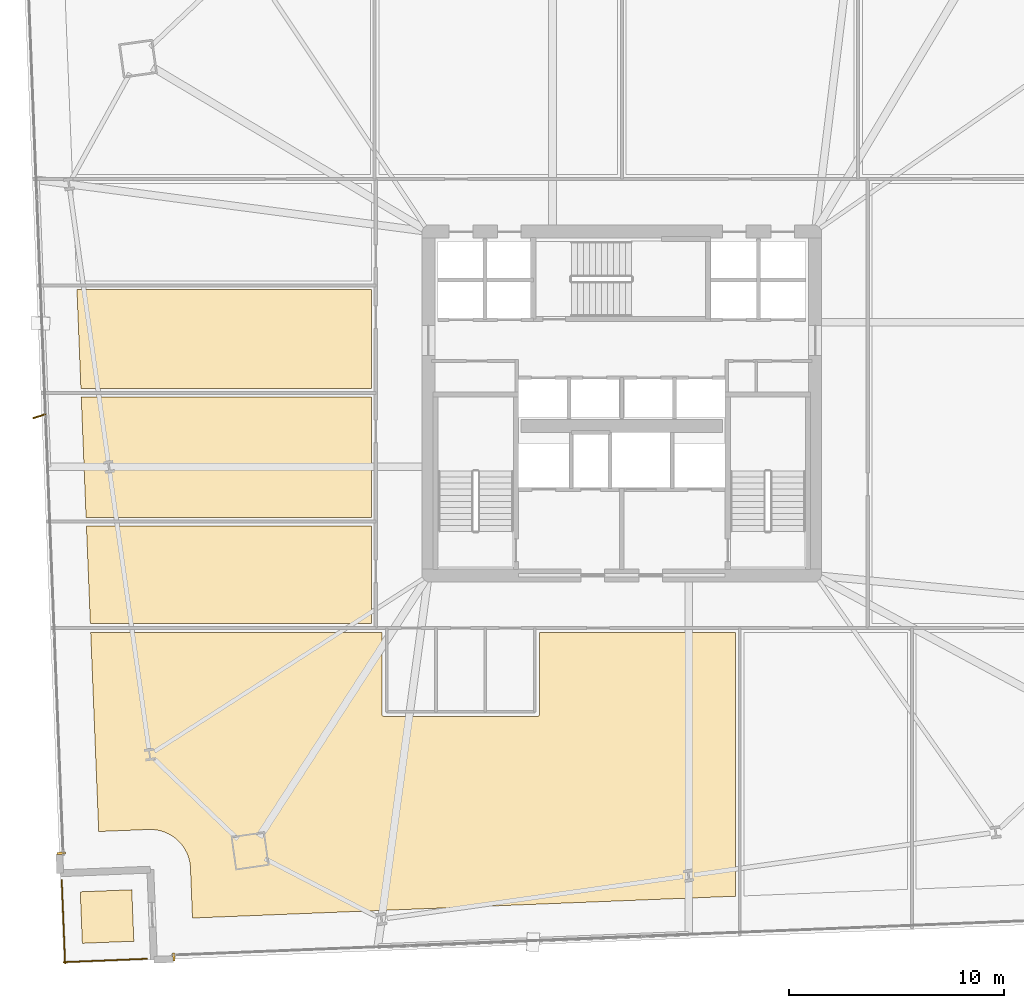
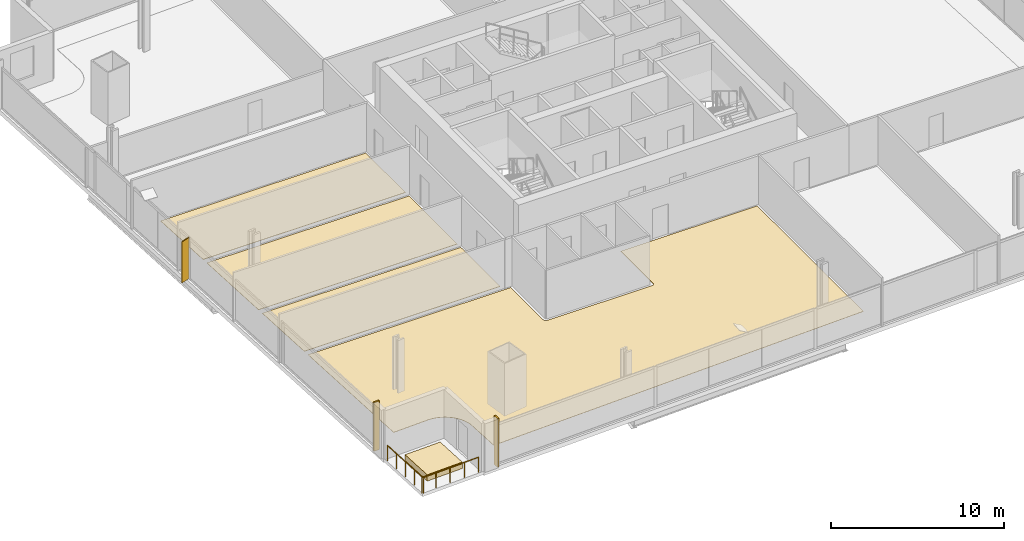
# One storey, part 29 of 32: 7 coverings, 2 railings, 1 shading device.
"""IFC4 building model written with IfcOpenShell, lengths in metres."""

from ifc_helpers import new_model, si_unit, direction, frame, origin, origin_2d, place, context, subcontext, project, spatial, polyline, rectangle, outline, extrude, source, transform, mapped, material, layer, layer_set, type_object, element, save


model = new_model("IFC4")

# Units and contexts
model_context = context("Model", 3, precision=1e-05, world=origin(), true_north=direction((0.0, 1.0)))
body_context = subcontext(model_context, "Body", "Model", "MODEL_VIEW")
ifc_project = project(units=[si_unit("LENGTHUNIT", "METRE"), si_unit("AREAUNIT", "SQUARE_METRE"), si_unit("VOLUMEUNIT", "CUBIC_METRE"), si_unit("PLANEANGLEUNIT", "RADIAN"), si_unit("MASSUNIT", "GRAM", prefix="KILO")], contexts=[model_context])

# Site, building, storey
site_placement = place(None, origin())
site = spatial("IfcSite", under=ifc_project, at=site_placement, CompositionType="ELEMENT")
building_placement = place(site_placement, origin())
building = spatial("IfcBuilding", under=site, at=building_placement, Name="Haldenkirk Collegiate Tower", CompositionType="ELEMENT")
storey_placement = place(building_placement, frame((0.0, 0.0, 36.449951171875)))
storey = spatial("IfcBuildingStorey", under=building, at=storey_placement, Name="L07", CompositionType="ELEMENT", Elevation=36.449951171875)

# Coverings
ifc_material_1 = material(Name="Polished collegiate terrazzo", Category="concrete")
ifc_layer_1 = layer(ifc_material_1, 0.02490234375)
ifc_layer_set_1 = layer_set([ifc_layer_1], Name="Polished collegiate terrazzo")
covering_type_1 = type_object("IfcCoveringType", Name="COV-FLOOR-TERRAZZO", PredefinedType="FLOORING", material=ifc_layer_set_1)
covering_1_placement = place(storey_placement, origin())
element("IfcCovering", 1, at=covering_1_placement, inside=storey, type_object=covering_type_1, Name="L07 academic room finish 08", PredefinedType="FLOORING", context=body_context, shape_type="SweptSolid", body=[
    extrude(outline(polyline([(11.07861328125, 20.300048828125), (24.35009765625, 20.300048828125), (24.35009765625, 15.75), (11.261474609375, 15.75), (11.07861328125, 20.300048828125)])), origin(), (0.0, 0.0, 1.0), 0.025146484375),
])
covering_2_placement = place(storey_placement, origin())
element("IfcCovering", 2, at=covering_2_placement, inside=storey, type_object=covering_type_1, Name="L07 academic room finish 10", PredefinedType="FLOORING", context=body_context, shape_type="SweptSolid", body=[
    extrude(outline(polyline([(10.636962890625, 31.300048828125), (24.35009765625, 31.300048828125), (24.35009765625, 26.699951171875), (10.82177734375, 26.699951171875), (10.636962890625, 31.300048828125)])), origin(), (0.0, 0.0, 1.0), 0.025146484375),
])
ifc_material_2 = material(Name="Engineered collegiate oak acoustic flooring", Category="wood")
ifc_layer_2 = layer(ifc_material_2, 0.02197265625)
ifc_layer_set_2 = layer_set([ifc_layer_2], Name="Engineered collegiate oak acoustic flooring")
covering_type_2 = type_object("IfcCoveringType", Name="COV-FLOOR-TIMBER", PredefinedType="FLOORING", material=ifc_layer_set_2)
covering_3_placement = place(storey_placement, origin())
element("IfcCovering", 3, at=covering_3_placement, inside=storey, type_object=covering_type_2, Name="L07 academic room finish 01", PredefinedType="FLOORING", context=body_context, shape_type="SweptSolid", body=[
    extrude(outline(polyline([(15.7529296875, 5.080810546875), (15.748046875, 5.091552734375), (15.66845703125, 5.24365234375), (15.66259765625, 5.253662109375), (15.568359375, 5.3974609375), (15.561279296875, 5.406982421875), (15.45361328125, 5.540771484375), (15.44580078125, 5.549560546875), (15.325439453125, 5.672119140625), (15.31689453125, 5.679931640625), (15.18505859375, 5.7900390625), (15.17578125, 5.797119140625), (15.03369140625, 5.893798828125), (15.023681640625, 5.89990234375), (14.872802734375, 5.982421875), (14.8623046875, 5.9873046875), (14.704345703125, 6.0546875), (14.693115234375, 6.05859375), (14.529296875, 6.110107421875), (14.517822265625, 6.113037109375), (14.349609375, 6.14794921875), (14.338134765625, 6.14990234375), (14.16748046875, 6.168212890625), (14.155517578125, 6.1689453125), (13.98388671875, 6.17041015625), (13.97802734375, 6.17041015625), (11.64990234375, 6.07666015625), (11.277587890625, 15.35009765625), (24.830078125, 15.35009765625), (24.830078125, 11.550048828125), (24.83056640625, 11.5380859375), (24.832275390625, 11.526611328125), (24.835205078125, 11.51513671875), (24.839111328125, 11.504150390625), (24.84423828125, 11.493408203125), (24.85009765625, 11.4833984375), (24.857177734375, 11.473876953125), (24.864990234375, 11.465087890625), (24.873779296875, 11.457275390625), (24.88330078125, 11.4501953125), (24.893310546875, 11.444091796875), (24.904052734375, 11.439208984375), (24.915283203125, 11.435302734375), (24.926513671875, 11.432373046875), (24.938232421875, 11.4306640625), (24.949951171875, 11.429931640625), (32.050048828125, 11.429931640625), (32.061767578125, 11.4306640625), (32.073486328125, 11.432373046875), (32.084716796875, 11.435302734375), (32.095947265625, 11.439208984375), (32.106689453125, 11.444091796875), (32.11669921875, 11.4501953125), (32.126220703125, 11.457275390625), (32.135009765625, 11.465087890625), (32.142822265625, 11.473876953125), (32.14990234375, 11.4833984375), (32.15576171875, 11.493408203125), (32.160888671875, 11.504150390625), (32.164794921875, 11.51513671875), (32.167724609375, 11.526611328125), (32.16943359375, 11.5380859375), (32.169921875, 11.550048828125), (32.169921875, 15.35009765625), (41.300048828125, 15.35009765625), (41.300048828125, 3.064208984375), (16.01513671875, 2.048583984375), (15.921630859375, 4.376708984375), (15.921142578125, 4.3828125), (15.906005859375, 4.5537109375), (15.904296875, 4.5654296875), (15.872314453125, 4.734130859375), (15.869384765625, 4.74560546875), (15.821044921875, 4.910400390625), (15.8173828125, 4.92138671875), (15.7529296875, 5.080810546875)])), origin(), (0.0, 0.0, 1.0), 0.02197265625),
])
covering_4_placement = place(storey_placement, origin())
element("IfcCovering", 4, at=covering_4_placement, inside=storey, type_object=covering_type_2, Name="L07 academic room finish 09", PredefinedType="FLOORING", context=body_context, shape_type="SweptSolid", body=[
    extrude(outline(polyline([(10.837646484375, 26.300048828125), (24.35009765625, 26.300048828125), (24.35009765625, 20.699951171875), (11.0625, 20.699951171875), (10.837646484375, 26.300048828125)])), origin(), (0.0, 0.0, 1.0), 0.02197265625),
])
ifc_material_3 = material(Name="Precast concrete f'c 40 MPa", Category="concrete")
ifc_layer_3 = layer(ifc_material_3, 0.449951171875)
ifc_layer_set_3 = layer_set([ifc_layer_3], Name="Precast concrete f'c 40 MPa")
covering_type_3 = type_object("IfcCoveringType", Name="COV-PLANTER-450", PredefinedType="USERDEFINED", material=ifc_layer_set_3)
covering_5_placement = place(storey_placement, origin())
element("IfcCovering", 5, at=covering_5_placement, inside=storey, type_object=covering_type_3, Name="L07 planted garden planter bed", ObjectType="PLANTER", PredefinedType="USERDEFINED", context=body_context, shape_type="SweptSolid", body=[
    extrude(outline(polyline([(10.88818359375, 0.8720703125), (10.7919921875, 3.27001953125), (13.18994140625, 3.366455078125), (13.286376953125, 0.96826171875), (10.88818359375, 0.8720703125)])), origin(), (0.0, 0.0, 1.0), 0.449951171875),
])

# Railings
ifc_material_4 = material(Name="Anodised architectural bronze aluminium", Category="aluminium")
railing_type = type_object("IfcRailingType", Name="RLG-TERR-BALUSTRADE-1100", PredefinedType="BALUSTRADE", material=ifc_material_4)
railing_1_placement = place(storey_placement, frame((10.022705078125, -0.00341796875, 0.0)))
element("IfcRailing", 6, at=railing_1_placement, inside=storey, type_object=railing_type, Name="L07 terrace guard balustrade 1-1", PredefinedType="BALUSTRADE", context=body_context, shape_type="SweptSolid", body=[
    extrude(rectangle(XDim=0.048095703125, YDim=0.048095703125, at=origin_2d()), frame((0.0, 0.0, 1.076171875), z_axis=(0.999196429199, 0.040081116209, 0.0), x_axis=(-0.040081116209, 0.999196429199, 0.0)), (0.0, 0.0, 1.0), 3.880126953125),
    extrude(rectangle(XDim=0.0419921875, YDim=0.0419921875, at=origin_2d()), origin(), (0.0, 0.0, 1.0), 1.052001953125),
    extrude(rectangle(XDim=0.0419921875, YDim=0.0419921875, at=origin_2d()), frame((0.96923828125, 0.038818359375, 0.0)), (0.0, 0.0, 1.0), 1.052001953125),
    extrude(rectangle(XDim=0.0419921875, YDim=0.0419921875, at=origin_2d()), frame((1.9384765625, 0.07763671875, 0.0)), (0.0, 0.0, 1.0), 1.052001953125),
    extrude(rectangle(XDim=0.0419921875, YDim=0.0419921875, at=origin_2d()), frame((2.90771484375, 0.11669921875, 0.0)), (0.0, 0.0, 1.0), 1.052001953125),
    extrude(rectangle(XDim=0.0419921875, YDim=0.0419921875, at=origin_2d()), frame((3.876953125, 0.155517578125, 0.0)), (0.0, 0.0, 1.0), 1.052001953125),
])
railing_2_placement = place(storey_placement, frame((9.92919921875, 3.81591796875, 0.0)))
element("IfcRailing", 7, at=railing_2_placement, inside=storey, type_object=railing_type, Name="L07 terrace guard balustrade 4-1", PredefinedType="BALUSTRADE", context=body_context, shape_type="SweptSolid", body=[
    extrude(rectangle(XDim=0.048095703125, YDim=0.048095703125, at=origin_2d()), frame((0.0, 0.0, 1.076171875), z_axis=(0.040143936577, -0.999193907285, 0.0), x_axis=(0.999193907285, 0.040143936577, 0.0)), (0.0, 0.0, 1.0), 3.880126953125),
    extrude(rectangle(XDim=0.0419921875, YDim=0.0419921875, at=origin_2d()), origin(), (0.0, 0.0, 1.0), 1.052001953125),
    extrude(rectangle(XDim=0.0419921875, YDim=0.0419921875, at=origin_2d()), frame((0.0390625, -0.96923828125, 0.0)), (0.0, 0.0, 1.0), 1.052001953125),
    extrude(rectangle(XDim=0.0419921875, YDim=0.0419921875, at=origin_2d()), frame((0.077880859375, -1.9384765625, 0.0)), (0.0, 0.0, 1.0), 1.052001953125),
    extrude(rectangle(XDim=0.0419921875, YDim=0.0419921875, at=origin_2d()), frame((0.11669921875, -2.90771484375, 0.0)), (0.0, 0.0, 1.0), 1.052001953125),
    extrude(rectangle(XDim=0.0419921875, YDim=0.0419921875, at=origin_2d()), frame((0.15576171875, -3.876953125, 0.0)), (0.0, 0.0, 1.0), 1.052001953125),
])

# Coverings
ifc_layer_4 = layer(ifc_material_4, 0.06005859375)
ifc_layer_set_4 = layer_set([ifc_layer_4], Name="Anodised architectural bronze aluminium")
covering_type_4 = type_object("IfcCoveringType", Name="COV-CLAD-BRONZE-60", PredefinedType="CLADDING", material=ifc_layer_set_4)
shared_shape_1 = source(origin(), body_context, "Body", "SweptSolid", [
    extrude(rectangle(XDim=0.10009765625, YDim=0.3798828125, at=origin_2d()), origin(), (0.0, 0.0, 1.0), 3.43994140625),
])
for number, where, z_axis, x_axis, name in (
    (8, (15.1474609375, 0.232421875, 0.0), (0.0, 0.0, 1.0), (-0.999194395114, -0.040131792533, 0.0), "L07 recessed curtain-wall bronze jamb closure SJR"),
    (9, (9.9091796875, 5.066162109375, 0.0), (0.0, 0.0, 1.0), (-0.040131792533, 0.999194395114, 0.0), "L07 recessed curtain-wall bronze jamb closure WJL"),
):
    element("IfcCovering", number, at=place(storey_placement, frame(where, z_axis=z_axis, x_axis=x_axis)), inside=storey, type_object=covering_type_4, Name=name, PredefinedType="CLADDING", context=body_context, shape_type="MappedRepresentation", body=[
        mapped(shared_shape_1, transform((0.0, 0.0, 0.0), x_axis=(1.0, 0.0, 0.0), y_axis=(0.0, 1.0, 0.0), z_axis=(0.0, 0.0, 1.0), scale=1.0)),
    ])

# Shading device
ifc_layer_5 = layer(ifc_material_4, 0.06494140625)
ifc_layer_set_5 = layer_set([ifc_layer_5], Name="Anodised architectural bronze aluminium")
shading_device_type = type_object("IfcShadingDeviceType", Name="SHD-FIN-BRONZE-620", PredefinedType="USERDEFINED", material=ifc_layer_set_5)
shared_shape_2 = source(origin(), body_context, "Body", "SweptSolid", [
    extrude(rectangle(XDim=0.6201171875, YDim=0.06494140625, at=origin_2d()), origin(), (0.0, 0.0, 1.0), 2.89111328125),
])
shading_device_placement = place(storey_placement, frame((8.88671875, 25.411376953125, 0.0), z_axis=(0.0, 0.0, 1.0), x_axis=(-0.949425477642, -0.313992455967, 0.0)))
element("IfcShadingDevice", 10, at=shading_device_placement, inside=storey, type_object=shading_device_type, Name="L07 folded bronze solar fin 1", ObjectType="FIN", PredefinedType="USERDEFINED", context=body_context, shape_type="MappedRepresentation", body=[
    mapped(shared_shape_2, transform((0.0, 0.0, 0.0), x_axis=(1.0, 0.0, 0.0), y_axis=(0.0, 1.0, 0.0), z_axis=(0.0, 0.0, 1.0), scale=1.0)),
])

save(model, "model.ifc")
